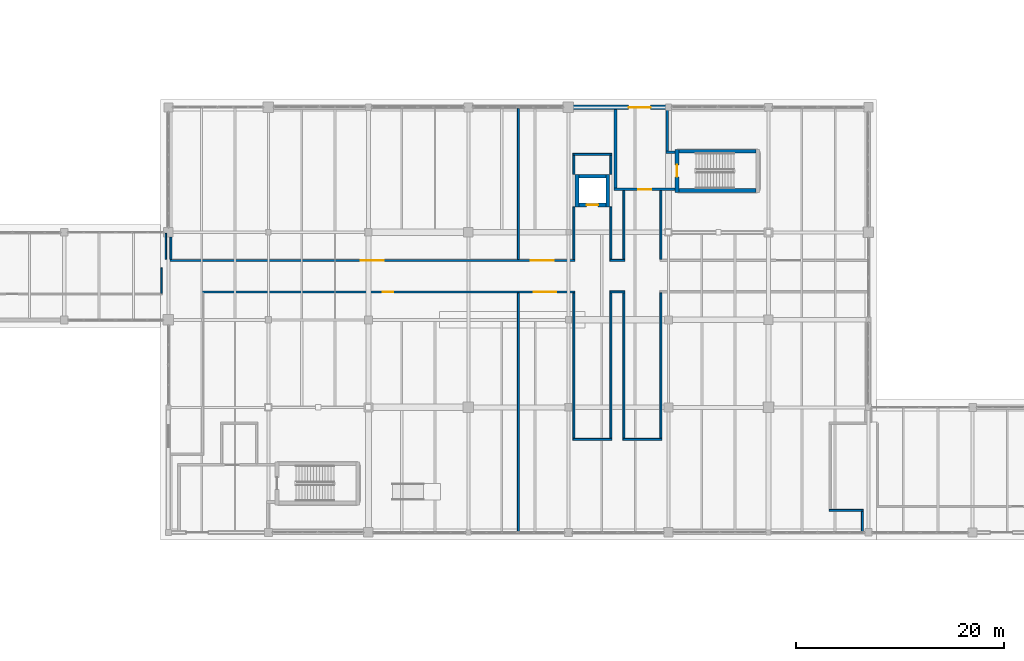
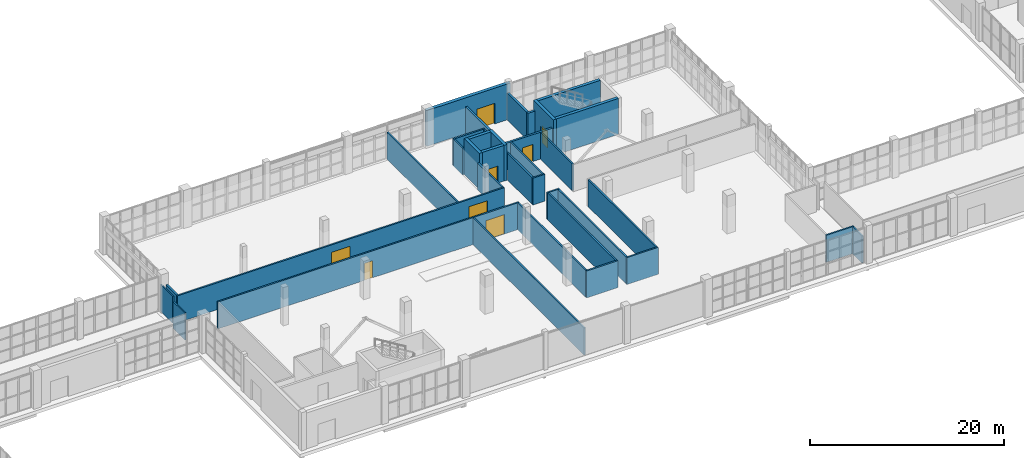
# One storey, part 100 of 121: 36 walls, 8 doors, 8 openings.
"""IFC4 building model written with IfcOpenShell, lengths in metres."""

import ifcopenshell
import ifcopenshell.guid

model = None  # the IFC model being written
_history = None  # IfcOwnerHistory: only IFC2X3 demands one
_inside = {}  # id of a spatial element -> (the spatial element, [elements in it])
_under = {}  # id of a project, library or spatial element -> (it, [spatial elements below it])
_declared = {}  # id of a project -> (the project, [libraries it declares])
_typed = {}  # id of a type object -> (the type object, [elements of that type])
_made_of = {}  # id of a material, layer set ... -> (it, [elements and type objects made of it])


def new_model(schema):
    """Start an empty IFC model of exactly this schema.

    Asked for "IFC4X3", IfcOpenShell would pick the latest addendum, in which some entities
    have other attributes; the version numbers below select the first issue.
    IFC2X3 requires an IfcOwnerHistory on every rooted entity: one is made here for all.
    """
    global model, _history
    if schema == "IFC4X3":
        model = ifcopenshell.file(schema_version=(4, 3, 0, 0))
    else:
        model = ifcopenshell.file(schema=schema)
    _inside.clear()
    _under.clear()
    _declared.clear()
    _typed.clear()
    _made_of.clear()
    _history = None
    if model.schema == "IFC2X3":
        org = make("IfcOrganization", Name="unknown")
        user = make(
            "IfcPersonAndOrganization",
            ThePerson=make("IfcPerson", FamilyName="unknown"),
            TheOrganization=org,
        )
        app = make(
            "IfcApplication",
            ApplicationDeveloper=org,
            Version="unknown",
            ApplicationFullName="unknown",
            ApplicationIdentifier="unknown",
        )
        _history = make(
            "IfcOwnerHistory",
            OwningUser=user,
            OwningApplication=app,
            ChangeAction="ADDED",
            CreationDate=0,
        )
    return model


def make(cls, **values):
    """One entity of the class cls with the attributes given. An attribute that is None is left unset."""
    return model.create_entity(
        cls, **{name: value for name, value in values.items() if value is not None}
    )


def rooted(cls, **values):
    """An entity with a GlobalId (a new one), such as an element, a storey or a relation."""
    return make(cls, GlobalId=ifcopenshell.guid.new(), OwnerHistory=_history, **values)


def si_unit(unit_type, name, prefix=None):
    """IfcSIUnit, for example si_unit("LENGTHUNIT", "METRE", prefix="MILLI")."""
    return make("IfcSIUnit", UnitType=unit_type, Prefix=prefix, Name=name)


def assignment(units):
    """IfcUnitAssignment: the units of a project."""
    return None if units is None else make("IfcUnitAssignment", Units=units)


def point(xyz):
    """IfcCartesianPoint."""
    return None if xyz is None else make("IfcCartesianPoint", Coordinates=xyz)


def direction(xyz):
    """IfcDirection."""
    return None if xyz is None else make("IfcDirection", DirectionRatios=xyz)


def frame(location, z_axis=None, x_axis=None):
    """IfcAxis2Placement3D, a coordinate frame: its origin and axes. An axis left out is left unset."""
    return make(
        "IfcAxis2Placement3D",
        Location=point(location),
        Axis=direction(z_axis),
        RefDirection=direction(x_axis),
    )


def frame_2d(location, x_axis=None):
    """IfcAxis2Placement2D, a coordinate frame in the plane: its origin and x axis."""
    return make(
        "IfcAxis2Placement2D", Location=point(location), RefDirection=direction(x_axis)
    )


def origin():
    """The frame at (0, 0, 0) with its axes left unset."""
    return frame((0.0, 0.0, 0.0))


def place(relative_to, where):
    """IfcLocalPlacement: puts the frame where relative to a parent placement (None: the world)."""
    return make(
        "IfcLocalPlacement", PlacementRelTo=relative_to, RelativePlacement=where
    )


def context(
    kind, dimensions, precision=None, world=None, true_north=None, identifier=None
):
    """IfcGeometricRepresentationContext, for example the 3D "Model" context."""
    return make(
        "IfcGeometricRepresentationContext",
        ContextIdentifier=identifier,
        ContextType=kind,
        CoordinateSpaceDimension=dimensions,
        Precision=precision,
        WorldCoordinateSystem=world,
        TrueNorth=true_north,
    )


def subcontext(parent, identifier, kind, view, scale=None):
    """IfcGeometricRepresentationSubContext, for example "Body" below "Model"."""
    return make(
        "IfcGeometricRepresentationSubContext",
        ContextIdentifier=identifier,
        ContextType=kind,
        ParentContext=parent,
        TargetScale=scale,
        TargetView=view,
    )


def project(units=None, contexts=None):
    """IfcProject with its units and contexts."""
    return rooted(
        "IfcProject",
        Name="project",
        RepresentationContexts=contexts,
        UnitsInContext=assignment(units),
    )


def spatial(cls, under=None, at=None, **own):
    """A site, building, storey or space (cls), placed at a placement, below another one or the project."""
    s = rooted(cls, ObjectPlacement=at, **own)
    if under is not None:
        _under.setdefault(under.id(), (under, []))[1].append(s)
    return s


def profile(cls, at=None, kind="AREA", **sizes):
    """A parametric profile (cls). Its sizes go by their IFC names, for example OverallWidth=200.0."""
    return make(cls, ProfileType=kind, Position=at, **sizes)


def rectangle(**sizes):
    """IfcRectangleProfileDef."""
    return profile("IfcRectangleProfileDef", **sizes)


def extrude(swept, where, along, depth):
    """IfcExtrudedAreaSolid: the profile swept, set in the frame where, extruded along a direction by depth."""
    return make(
        "IfcExtrudedAreaSolid",
        SweptArea=swept,
        Position=where,
        ExtrudedDirection=direction(along),
        Depth=depth,
    )


def shape(context_of_items, identifier, shape_type, items):
    """IfcShapeRepresentation: the items that make up one representation, for example the "Body"."""
    return make(
        "IfcShapeRepresentation",
        ContextOfItems=context_of_items,
        RepresentationIdentifier=identifier,
        RepresentationType=shape_type,
        Items=items,
    )


def material(Name=None, Category=None):
    """IfcMaterial."""
    return make("IfcMaterial", Name=Name, Category=Category)


def layer(
    of_material, thickness, ventilated=None, Name=None, Category=None, Priority=None
):
    """IfcMaterialLayer: one layer of a wall or slab, of a material (None: an air gap)."""
    return make(
        "IfcMaterialLayer",
        Material=of_material,
        LayerThickness=thickness,
        IsVentilated=ventilated,
        Name=Name,
        Category=Category,
        Priority=Priority,
    )


def layer_set(layers, Name=None):
    """IfcMaterialLayerSet."""
    return make("IfcMaterialLayerSet", MaterialLayers=layers, LayerSetName=Name)


def made_of(thing, what):
    """Note that an element or type object is made of a material, layer set ...; save() writes the relation."""
    if what is not None:
        _made_of.setdefault(what.id(), (what, []))[1].append(thing)
    return thing


def type_object(cls, material=None, **own):
    """A type object (cls), such as IfcWallType, which elements share."""
    return made_of(rooted(cls, **own), material)


def element(
    cls,
    number,
    at=None,
    inside=None,
    cuts=None,
    type_object=None,
    material=None,
    context=None,
    identifier="Body",
    shape_type=None,
    held_by="IfcProductDefinitionShape",
    body=None,
    shapes=None,
    **own,
):
    """One element of the class cls, such as IfcWall. Its Tag is "e" and its number.

    at: its placement. inside: the storey or other place that contains it. cuts: it is an
    opening in that element (IfcRelVoidsElement). A single representation is given by context,
    identifier, shape_type and body (its items); several are given by shapes. held_by: the class
    of the entity that holds the representations. save() writes the other relations.
    """
    e = rooted(cls, Tag="e%d" % number, ObjectPlacement=at, **own)
    if body is not None:
        shapes = [shape(context, identifier, shape_type, body)]
    if shapes is not None:
        e.Representation = make(held_by, Representations=shapes)
    if inside is not None:
        _inside.setdefault(inside.id(), (inside, []))[1].append(e)
    if cuts is not None:
        rooted(
            "IfcRelVoidsElement", RelatingBuildingElement=cuts, RelatedOpeningElement=e
        )
    if type_object is not None:
        _typed.setdefault(type_object.id(), (type_object, []))[1].append(e)
    return made_of(e, material)


def fill(opening, filler):
    """IfcRelFillsElement: the door or window that sits in an opening."""
    return rooted(
        "IfcRelFillsElement",
        RelatingOpeningElement=opening,
        RelatedBuildingElement=filler,
    )


def aggregate(whole, parts):
    """IfcRelAggregates: a whole, such as a stair, and the parts it consists of."""
    return rooted("IfcRelAggregates", RelatingObject=whole, RelatedObjects=parts)


def save(model, path):
    """Write the relations noted so far, then the file.

    IfcRelAggregates (storeys below a building ...), IfcRelContainedInSpatialStructure (elements
    in a storey), IfcRelDefinesByType, IfcRelAssociatesMaterial and IfcRelDeclares: one each for
    every whole, place, type object, material and project.
    """
    for whole, parts in _under.values():
        aggregate(whole, parts)
    for where, things in _inside.values():
        rooted(
            "IfcRelContainedInSpatialStructure",
            RelatedElements=things,
            RelatingStructure=where,
        )
    for kind, things in _typed.values():
        rooted("IfcRelDefinesByType", RelatedObjects=things, RelatingType=kind)
    for what, things in _made_of.values():
        rooted("IfcRelAssociatesMaterial", RelatedObjects=things, RelatingMaterial=what)
    for by, libraries in _declared.values():
        rooted("IfcRelDeclares", RelatingContext=by, RelatedDefinitions=libraries)
    model.write(path)


model = new_model("IFC4")

# Units and contexts
model_context = context("Model", 3, precision=1e-05, world=origin(), true_north=direction((0.0, 1.0)))
body_context = subcontext(model_context, "Body", "Model", "MODEL_VIEW")
ifc_project = project(units=[si_unit("LENGTHUNIT", "METRE"), si_unit("AREAUNIT", "SQUARE_METRE"), si_unit("VOLUMEUNIT", "CUBIC_METRE"), si_unit("PLANEANGLEUNIT", "RADIAN"), si_unit("MASSUNIT", "GRAM", prefix="KILO")], contexts=[model_context])

# Site, building, storey
site_placement = place(None, origin())
site = spatial("IfcSite", under=ifc_project, at=site_placement, CompositionType="ELEMENT")
building_placement = place(site_placement, origin())
building = spatial("IfcBuilding", under=site, at=building_placement, Name="Zereglee Splitstone Museum", CompositionType="ELEMENT")
storey_placement = place(building_placement, origin())
storey = spatial("IfcBuildingStorey", under=building, at=storey_placement, Name="L00", CompositionType="ELEMENT", Elevation=0.0)

# Wall, opening, door
ifc_material_1 = material(Name="Concrete C45/55", Category="concrete")
ifc_layer_1 = layer(ifc_material_1, 0.360107421875)
ifc_layer_set_1 = layer_set([ifc_layer_1], Name="Concrete C45/55")
wall_type_1 = type_object("IfcWallType", Name="CSW-02", PredefinedType="SHEAR", material=ifc_layer_set_1)
wall_1_placement = place(storey_placement, frame((126.820068359375, 42.239990234375, 0.0), z_axis=(0.0, 0.0, 1.0), x_axis=(0.0, 1.0, 0.0)))
wall_1 = element("IfcWall", 1, at=wall_1_placement, inside=storey, type_object=wall_type_1, Name="Stair Core Shear Wall ST-03 L00 West", PredefinedType="SHEAR", context=body_context, shape_type="SweptSolid", body=[
    extrude(rectangle(XDim=4.1201171875, YDim=0.360107421875, at=frame_2d((2.06005859375, 0.0))), origin(), (0.0, 0.0, 1.0), 4.5),
])
opening_1_placement = place(wall_1_placement, frame((1.485107421875, 0.0, 0.0)))
opening_1 = element("IfcOpeningElement", 2, at=opening_1_placement, cuts=wall_1, Name="Opening ID-03", PredefinedType="OPENING", context=body_context, shape_type="SweptSolid", body=[
    extrude(rectangle(XDim=1.14990234375, YDim=2.14990234375, at=frame_2d((0.574951171875, 1.074951171875))), frame((0.0, 0.19482421875, 0.0), z_axis=(0.0, -1.0, 0.0), x_axis=(1.0, 0.0, 0.0)), (0.0, 0.0, 1.0), 0.389892578125),
])
ifc_material_2 = material(Name="Fire-rated steel and Siberian larch leaf", Category="steel")
door_type_1 = type_object("IfcDoorType", Name="ID-03", OperationType="NOTDEFINED", PredefinedType="DOOR", material=ifc_material_2)
door_1_placement = place(opening_1_placement, origin())
door_1 = element("IfcDoor", 3, at=door_1_placement, inside=storey, type_object=door_type_1, Name="Protected Stair Fire Door ST-03 L00", OperationType="SINGLE_SWING_RIGHT", OverallHeight=2.14990234375, OverallWidth=1.14990234375, PredefinedType="DOOR", context=body_context, shape_type="SweptSolid", body=[
    extrude(rectangle(XDim=1.14990234375, YDim=2.14990234375, at=frame_2d((0.574951171875, 1.074951171875))), frame((0.0, 0.02490234375, 0.0), z_axis=(0.0, -1.0, 0.0), x_axis=(1.0, 0.0, 0.0)), (0.0, 0.0, 1.0), 0.050048828125),
])
fill(opening_1, door_1)

# Walls
for number, where, z_axis, x_axis, name in (
    (4, (127.0, 46.179931640625, 0.0), (0.0, 0.0, 1.0), (1.0, 0.0, 0.0), "Stair Core Shear Wall ST-03 L00 North"),
    (5, (127.0, 42.419921875, 0.0), (0.0, 0.0, 1.0), (1.0, 0.0, 0.0), "Stair Core Shear Wall ST-03 L00 South"),
):
    element("IfcWall", number, at=place(storey_placement, frame(where, z_axis=z_axis, x_axis=x_axis)), inside=storey, type_object=wall_type_1, Name=name, PredefinedType="SHEAR", context=body_context, shape_type="SweptSolid", body=[
        extrude(rectangle(XDim=7.39990234375, YDim=0.360107421875, at=frame_2d((3.699951171875, 0.0))), origin(), (0.0, 0.0, 1.0), 4.5),
    ])
wall_2_placement = place(storey_placement, frame((117.39990234375, 43.780029296875, 0.0), z_axis=(0.0, 0.0, 1.0), x_axis=(1.0, 0.0, 0.0)))
element("IfcWall", 6, at=wall_2_placement, inside=storey, type_object=wall_type_1, Name="Lift Shaft Wall PL-02 L00 North", PredefinedType="SHEAR", context=body_context, shape_type="SweptSolid", body=[
    extrude(rectangle(XDim=2.60009765625, YDim=0.360107421875, at=frame_2d((1.300048828125, 0.0))), origin(), (0.0, 0.0, 1.0), 4.5),
])

# Wall, opening, door
wall_3_placement = place(storey_placement, frame((117.39990234375, 41.02001953125, 0.0), z_axis=(0.0, 0.0, 1.0), x_axis=(1.0, 0.0, 0.0)))
wall_3 = element("IfcWall", 7, at=wall_3_placement, inside=storey, type_object=wall_type_1, Name="Lift Shaft Wall PL-02 L00 South", PredefinedType="SHEAR", context=body_context, shape_type="SweptSolid", body=[
    extrude(rectangle(XDim=2.60009765625, YDim=0.360107421875, at=frame_2d((1.300048828125, 0.0))), origin(), (0.0, 0.0, 1.0), 4.5),
])
opening_2_placement = place(wall_3_placement, frame((0.75, 0.0, 0.0)))
opening_2 = element("IfcOpeningElement", 8, at=opening_2_placement, cuts=wall_3, Name="Opening LD-01", PredefinedType="OPENING", context=body_context, shape_type="SweptSolid", body=[
    extrude(rectangle(XDim=1.10009765625, YDim=2.14990234375, at=frame_2d((0.550048828125, 1.074951171875))), frame((0.0, 0.19482421875, 0.0), z_axis=(0.0, -1.0, 0.0), x_axis=(1.0, 0.0, 0.0)), (0.0, 0.0, 1.0), 0.389892578125),
])
door_type_2 = type_object("IfcDoorType", Name="LD-01", OperationType="DOUBLE_DOOR_SLIDING", PredefinedType="DOOR", material=ifc_material_2)
door_2_placement = place(opening_2_placement, origin())
door_2 = element("IfcDoor", 9, at=door_2_placement, inside=storey, type_object=door_type_2, Name="Lift Landing Sliding Door PL-02 L00", OperationType="DOUBLE_DOOR_SLIDING", OverallHeight=2.14990234375, OverallWidth=1.10009765625, PredefinedType="DOOR", context=body_context, shape_type="SweptSolid", body=[
    extrude(rectangle(XDim=1.10009765625, YDim=2.14990234375, at=frame_2d((0.550048828125, 1.074951171875))), frame((0.0, 0.02490234375, 0.0), z_axis=(0.0, -1.0, 0.0), x_axis=(1.0, 0.0, 0.0)), (0.0, 0.0, 1.0), 0.050048828125),
])
fill(opening_2, door_2)

# Walls
for number, where, z_axis, x_axis, name in (
    (10, (117.219970703125, 40.840087890625, 0.0), (0.0, 0.0, 1.0), (0.0, 1.0, 0.0), "Lift Shaft Wall PL-02 L00 West"),
    (11, (120.179931640625, 40.840087890625, 0.0), (0.0, 0.0, 1.0), (0.0, 1.0, 0.0), "Lift Shaft Wall PL-02 L00 East"),
):
    element("IfcWall", number, at=place(storey_placement, frame(where, z_axis=z_axis, x_axis=x_axis)), inside=storey, type_object=wall_type_1, Name=name, PredefinedType="SHEAR", context=body_context, shape_type="SweptSolid", body=[
        extrude(rectangle(XDim=3.119873046875, YDim=0.360107421875, at=frame_2d((1.56005859375, 0.0))), origin(), (0.0, 0.0, 1.0), 4.5),
    ])

# Wall, opening, door
ifc_material_3 = material(Name="Concrete C40/50", Category="concrete")
ifc_layer_2 = layer(ifc_material_3, 0.39990234375)
ifc_layer_set_2 = layer_set([ifc_layer_2], Name="Concrete C40/50")
wall_type_2 = type_object("IfcWallType", Name="EW-02", PredefinedType="STANDARD", material=ifc_layer_set_2)
wall_4_placement = place(storey_placement, frame((126.179931640625, 50.39990234375, 0.0), z_axis=(0.0, 0.0, 1.0), x_axis=(-1.0, 0.0, 0.0)))
wall_4 = element("IfcWall", 12, at=wall_4_placement, inside=storey, type_object=wall_type_2, Name="Exterior Backup Wall RC4-EW-L00-0008", PredefinedType="STANDARD", context=body_context, shape_type="SweptSolid", body=[
    extrude(rectangle(XDim=9.9599609375, YDim=0.39990234375, at=frame_2d((4.97998046875, 0.0))), origin(), (0.0, 0.0, 1.0), 4.5),
])
opening_3_placement = place(wall_4_placement, frame((1.89990234375, 0.0, 0.0)))
opening_3 = element("IfcOpeningElement", 13, at=opening_3_placement, cuts=wall_4, Name="Opening ED-02", PredefinedType="OPENING", context=body_context, shape_type="SweptSolid", body=[
    extrude(rectangle(XDim=2.10009765625, YDim=2.60009765625, at=frame_2d((1.050048828125, 1.300048828125))), frame((0.0, 0.21484375, 0.0), z_axis=(0.0, -1.0, 0.0), x_axis=(1.0, 0.0, 0.0)), (0.0, 0.0, 1.0), 0.4296875),
])
ifc_material_4 = material(Name="Anodised bronze-clad thermally broken aluminium", Category="aluminium")
door_type_3 = type_object("IfcDoorType", Name="ED-02", OperationType="DOUBLE_DOOR_SINGLE_SWING", PredefinedType="DOOR", material=ifc_material_4)
door_3_placement = place(opening_3_placement, frame((2.10009765625, 0.0, 0.0), z_axis=(0.0, 0.0, 1.0), x_axis=(-1.0, 0.0, 0.0)))
door_3 = element("IfcDoor", 14, at=door_3_placement, inside=storey, type_object=door_type_3, Name="Ground Protected Exit Door ED-L00-07", OperationType="DOUBLE_DOOR_SINGLE_SWING", OverallHeight=2.60009765625, OverallWidth=2.10009765625, PredefinedType="DOOR", context=body_context, shape_type="SweptSolid", body=[
    extrude(rectangle(XDim=2.10009765625, YDim=2.60009765625, at=frame_2d((1.050048828125, 1.300048828125))), frame((0.0, 0.02490234375, 0.0), z_axis=(0.0, -1.0, 0.0), x_axis=(1.0, 0.0, 0.0)), (0.0, 0.0, 1.0), 0.050048828125),
])
fill(opening_3, door_3)

ifc_layer_3 = layer(ifc_material_3, 0.25)
ifc_layer_set_3 = layer_set([ifc_layer_3], Name="Concrete C40/50")
wall_type_3 = type_object("IfcWallType", Name="IW-03", PredefinedType="PARTITIONING", material=ifc_layer_set_3)
wall_5_placement = place(storey_placement, frame((120.794921875, 42.52001953125, 0.0), z_axis=(0.0, 0.0, 1.0), x_axis=(1.0, 0.0, 0.0)))
wall_5 = element("IfcWall", 15, at=wall_5_placement, inside=storey, type_object=wall_type_3, Name="Interior Partition L00-0221 (Protected Exit Passageway ST-03)", PredefinedType="PARTITIONING", context=body_context, shape_type="SweptSolid", body=[
    extrude(rectangle(XDim=5.844970703125, YDim=0.25, at=frame_2d((2.92236328125, 0.0))), origin(), (0.0, 0.0, 1.0), 3.3798828125),
])
opening_4_placement = place(wall_5_placement, frame((2.297607421875, 0.0, 0.0)))
opening_4 = element("IfcOpeningElement", 16, at=opening_4_placement, cuts=wall_5, Name="Opening ID-04", PredefinedType="OPENING", context=body_context, shape_type="SweptSolid", body=[
    extrude(rectangle(XDim=1.25, YDim=2.14990234375, at=frame_2d((0.625, 1.074951171875))), frame((0.0, 0.139892578125, 0.0), z_axis=(0.0, -1.0, 0.0), x_axis=(1.0, 0.0, 0.0)), (0.0, 0.0, 1.0), 0.27978515625),
])
door_type_4 = type_object("IfcDoorType", Name="ID-04", OperationType="NOTDEFINED", PredefinedType="DOOR", material=ifc_material_2)
door_4_placement = place(opening_4_placement, origin())
door_4 = element("IfcDoor", 17, at=door_4_placement, inside=storey, type_object=door_type_4, Name="Interior Door L00-0025 (Protected Exit Passageway ST-03)", OperationType="SINGLE_SWING_RIGHT", OverallHeight=2.14990234375, OverallWidth=1.25, PredefinedType="DOOR", context=body_context, shape_type="SweptSolid", body=[
    extrude(rectangle(XDim=1.25, YDim=2.14990234375, at=frame_2d((0.625, 1.074951171875))), frame((0.0, 0.02490234375, 0.0), z_axis=(0.0, -1.0, 0.0), x_axis=(1.0, 0.0, 0.0)), (0.0, 0.0, 1.0), 0.050048828125),
])
fill(opening_4, door_4)

# Walls
wall_6_placement = place(storey_placement, frame((125.7548828125, 46.080078125, 0.0), z_axis=(0.0, 0.0, 1.0), x_axis=(1.0, 0.0, 0.0)))
element("IfcWall", 18, at=wall_6_placement, inside=storey, type_object=wall_type_3, Name="Interior Partition L00-0226 (Protected Exit Passageway ST-03)", PredefinedType="PARTITIONING", context=body_context, shape_type="SweptSolid", body=[
    extrude(rectangle(XDim=0.885009765625, YDim=0.25, at=frame_2d((0.4423828125, 0.0))), origin(), (0.0, 0.0, 1.0), 3.3798828125),
])
wall_7_placement = place(storey_placement, frame((120.919921875, 42.64501953125, 0.0), z_axis=(0.0, 0.0, 1.0), x_axis=(0.0, 1.0, 0.0)))
element("IfcWall", 19, at=wall_7_placement, inside=storey, type_object=wall_type_3, Name="Interior Partition L00-0272 (Protected Exit Passageway ST-03)", PredefinedType="PARTITIONING", context=body_context, shape_type="SweptSolid", body=[
    extrude(rectangle(XDim=7.554931640625, YDim=0.25, at=frame_2d((3.77734375, 0.0))), origin(), (0.0, 0.0, 1.0), 3.3798828125),
])
wall_8_placement = place(storey_placement, frame((125.8798828125, 46.0, 0.0), z_axis=(0.0, 0.0, 1.0), x_axis=(0.0, 1.0, 0.0)))
element("IfcWall", 20, at=wall_8_placement, inside=storey, type_object=wall_type_3, Name="Interior Partition L00-0277 (Protected Exit Passageway ST-03)", PredefinedType="PARTITIONING", context=body_context, shape_type="SweptSolid", body=[
    extrude(rectangle(XDim=4.199951171875, YDim=0.25, at=frame_2d((2.10009765625, 0.0))), origin(), (0.0, 0.0, 1.0), 3.3798828125),
])
ifc_material_5 = material(Name="Fire-rated gypsum board partition", Category="masonry")
ifc_layer_4 = layer(ifc_material_5, 0.139892578125)
ifc_layer_set_4 = layer_set([ifc_layer_4], Name="Fire-rated gypsum board partition")
wall_type_4 = type_object("IfcWallType", Name="IW-05", PredefinedType="PARTITIONING", material=ifc_layer_set_4)
wall_9_placement = place(storey_placement, frame((77.320068359375, 32.550048828125, 0.0), z_axis=(0.0, 0.0, 1.0), x_axis=(0.0, 1.0, 0.0)))
element("IfcWall", 21, at=wall_9_placement, inside=storey, type_object=wall_type_4, Name="Interior Partition L00-0256 (Museum Shop)", PredefinedType="PARTITIONING", context=body_context, shape_type="SweptSolid", body=[
    extrude(rectangle(XDim=2.449951171875, YDim=0.139892578125, at=frame_2d((1.22509765625, 0.0))), origin(), (0.0, 0.0, 1.0), 3.3798828125),
])
wall_10_placement = place(storey_placement, frame((77.760009765625, 35.81005859375, 0.0), z_axis=(0.0, 0.0, 1.0), x_axis=(0.0, 1.0, 0.0)))
element("IfcWall", 22, at=wall_10_placement, inside=storey, type_object=wall_type_4, Name="Interior Partition L00-0257 (Museum Shop)", PredefinedType="PARTITIONING", context=body_context, shape_type="SweptSolid", body=[
    extrude(rectangle(XDim=2.5, YDim=0.139892578125, at=frame_2d((1.25, 0.0))), origin(), (0.0, 0.0, 1.0), 3.3798828125),
])
ifc_material_6 = material(Name="Gypsum board on acoustic steel stud", Category="steel")
ifc_layer_5 = layer(ifc_material_6, 0.18994140625)
ifc_layer_set_5 = layer_set([ifc_layer_5], Name="Gypsum board on acoustic steel stud")
wall_type_5 = type_object("IfcWallType", Name="IW-02", PredefinedType="PARTITIONING", material=ifc_layer_set_5)
wall_11_placement = place(storey_placement, frame((141.425048828125, 11.719970703125, 0.0), z_axis=(0.0, 0.0, 1.0), x_axis=(1.0, 0.0, 0.0)))
element("IfcWall", 23, at=wall_11_placement, inside=storey, type_object=wall_type_5, Name="Interior Partition L00-0163 (Cretaceous Dinosaur Exhibition Gallery)", PredefinedType="PARTITIONING", context=body_context, shape_type="SweptSolid", body=[
    extrude(rectangle(XDim=3.2900390625, YDim=0.18994140625, at=frame_2d((1.64501953125, 0.0))), origin(), (0.0, 0.0, 1.0), 3.3798828125),
])
for number, where, z_axis, x_axis, name in (
    (24, (116.824951171875, 18.52001953125, 0.0), (0.0, 0.0, 1.0), (1.0, 0.0, 0.0), "Interior Partition L00-0181 (Cretaceous Dinosaur Exhibition Gallery)"),
    (25, (121.625, 18.52001953125, 0.0), (0.0, 0.0, 1.0), (1.0, 0.0, 0.0), "Interior Partition L00-0182 (Cretaceous Dinosaur Exhibition Gallery)"),
):
    element("IfcWall", number, at=place(storey_placement, frame(where, z_axis=z_axis, x_axis=x_axis)), inside=storey, type_object=wall_type_5, Name=name, PredefinedType="PARTITIONING", context=body_context, shape_type="SweptSolid", body=[
        extrude(rectangle(XDim=3.75, YDim=0.18994140625, at=frame_2d((1.875, 0.0))), origin(), (0.0, 0.0, 1.0), 3.3798828125),
    ])

# Wall, openings, doors
wall_12_placement = place(storey_placement, frame((81.18505859375, 32.679931640625, 0.0), z_axis=(0.0, 0.0, 1.0), x_axis=(1.0, 0.0, 0.0)))
wall_12 = element("IfcWall", 26, at=wall_12_placement, inside=storey, type_object=wall_type_5, Name="Interior Partition L00-0208 (Winter Atrium Concourse)", PredefinedType="PARTITIONING", context=body_context, shape_type="SweptSolid", body=[
    extrude(rectangle(XDim=35.829833984375, YDim=0.18994140625, at=frame_2d((17.9150390625, 0.0))), origin(), (0.0, 0.0, 1.0), 3.3798828125),
])
opening_5_placement = place(wall_12_placement, frame((17.4150390625, 0.0, 0.0)))
opening_5 = element("IfcOpeningElement", 27, at=opening_5_placement, cuts=wall_12, Name="Opening ID-10", PredefinedType="OPENING", context=body_context, shape_type="SweptSolid", body=[
    extrude(rectangle(XDim=1.0, YDim=2.14990234375, at=frame_2d((0.5, 1.074951171875))), frame((0.0, 0.10986328125, 0.0), z_axis=(0.0, -1.0, 0.0), x_axis=(1.0, 0.0, 0.0)), (0.0, 0.0, 1.0), 0.2197265625),
])
opening_6_placement = place(wall_12_placement, frame((31.863525390625, 0.0, 0.0)))
opening_6 = element("IfcOpeningElement", 28, at=opening_6_placement, cuts=wall_12, Name="Opening ID-01", PredefinedType="OPENING", context=body_context, shape_type="SweptSolid", body=[
    extrude(rectangle(XDim=2.199951171875, YDim=2.449951171875, at=frame_2d((1.10009765625, 1.22509765625))), frame((0.0, 0.10986328125, 0.0), z_axis=(0.0, -1.0, 0.0), x_axis=(1.0, 0.0, 0.0)), (0.0, 0.0, 1.0), 0.2197265625),
])
door_type_5 = type_object("IfcDoorType", Name="ID-01", OperationType="NOTDEFINED", PredefinedType="DOOR", material=ifc_material_2)
door_5_placement = place(opening_6_placement, frame((2.199951171875, 0.0, 0.0), z_axis=(0.0, 0.0, 1.0), x_axis=(-1.0, 0.0, 0.0)))
door_5 = element("IfcDoor", 29, at=door_5_placement, inside=storey, type_object=door_type_5, Name="Interior Door L00-0038 (Cretaceous Dinosaur Exhibition Gallery)", OperationType="DOUBLE_DOOR_SINGLE_SWING", OverallHeight=2.449951171875, OverallWidth=2.199951171875, PredefinedType="DOOR", context=body_context, shape_type="SweptSolid", body=[
    extrude(rectangle(XDim=2.199951171875, YDim=2.449951171875, at=frame_2d((1.10009765625, 1.22509765625))), frame((0.0, 0.02490234375, 0.0), z_axis=(0.0, -1.0, 0.0), x_axis=(1.0, 0.0, 0.0)), (0.0, 0.0, 1.0), 0.050048828125),
])
fill(opening_6, door_5)
ifc_material_7 = material(Name="Siberian larch acoustic timber leaf in bronze-steel frame", Category="steel")
door_type_6 = type_object("IfcDoorType", Name="ID-10", OperationType="NOTDEFINED", PredefinedType="DOOR", material=ifc_material_7)
door_6_placement = place(opening_5_placement, frame((1.0, 0.0, 0.0), z_axis=(0.0, 0.0, 1.0), x_axis=(-1.0, 0.0, 0.0)))
door_6 = element("IfcDoor", 30, at=door_6_placement, inside=storey, type_object=door_type_6, Name="Interior Door L00-0037 (Winter Atrium Concourse)", OperationType="SINGLE_SWING_RIGHT", OverallHeight=2.14990234375, OverallWidth=1.0, PredefinedType="DOOR", context=body_context, shape_type="SweptSolid", body=[
    extrude(rectangle(XDim=1.0, YDim=2.14990234375, at=frame_2d((0.5, 1.074951171875))), frame((0.0, 0.02490234375, 0.0), z_axis=(0.0, -1.0, 0.0), x_axis=(1.0, 0.0, 0.0)), (0.0, 0.0, 1.0), 0.050048828125),
])
fill(opening_5, door_6)

# Wall
wall_13_placement = place(storey_placement, frame((120.385009765625, 32.679931640625, 0.0), z_axis=(0.0, 0.0, 1.0), x_axis=(1.0, 0.0, 0.0)))
element("IfcWall", 31, at=wall_13_placement, inside=storey, type_object=wall_type_5, Name="Interior Partition L00-0209 (Cretaceous Dinosaur Exhibition Gallery)", PredefinedType="PARTITIONING", context=body_context, shape_type="SweptSolid", body=[
    extrude(rectangle(XDim=1.429931640625, YDim=0.18994140625, at=frame_2d((0.71484375, 0.0))), origin(), (0.0, 0.0, 1.0), 3.3798828125),
])

# Wall, openings, doors
wall_14_placement = place(storey_placement, frame((78.14501953125, 35.719970703125, 0.0), z_axis=(0.0, 0.0, 1.0), x_axis=(1.0, 0.0, 0.0)))
wall_14 = element("IfcWall", 32, at=wall_14_placement, inside=storey, type_object=wall_type_5, Name="Interior Partition L00-0212 (Gobi Mineralogy Gallery)", PredefinedType="PARTITIONING", context=body_context, shape_type="SweptSolid", body=[
    extrude(rectangle(XDim=38.869873046875, YDim=0.18994140625, at=frame_2d((19.43505859375, 0.0))), origin(), (0.0, 0.0, 1.0), 3.3798828125),
])
opening_7_placement = place(wall_14_placement, frame((18.3349609375, 0.0, 0.0)))
opening_7 = element("IfcOpeningElement", 33, at=opening_7_placement, cuts=wall_14, Name="Opening ID-01", PredefinedType="OPENING", context=body_context, shape_type="SweptSolid", body=[
    extrude(rectangle(XDim=2.199951171875, YDim=2.449951171875, at=frame_2d((1.10009765625, 1.22509765625))), frame((0.0, 0.10986328125, 0.0), z_axis=(0.0, -1.0, 0.0), x_axis=(1.0, 0.0, 0.0)), (0.0, 0.0, 1.0), 0.2197265625),
])
opening_8_placement = place(wall_14_placement, frame((34.660400390625, 0.0, 0.0)))
opening_8 = element("IfcOpeningElement", 34, at=opening_8_placement, cuts=wall_14, Name="Opening ID-01", PredefinedType="OPENING", context=body_context, shape_type="SweptSolid", body=[
    extrude(rectangle(XDim=2.199951171875, YDim=2.449951171875, at=frame_2d((1.10009765625, 1.22509765625))), frame((0.0, 0.10986328125, 0.0), z_axis=(0.0, -1.0, 0.0), x_axis=(1.0, 0.0, 0.0)), (0.0, 0.0, 1.0), 0.2197265625),
])
door_7_placement = place(opening_7_placement, origin())
door_7 = element("IfcDoor", 35, at=door_7_placement, inside=storey, type_object=door_type_5, Name="Interior Door L00-0039 (Gobi Mineralogy Gallery)", OperationType="DOUBLE_DOOR_SINGLE_SWING", OverallHeight=2.449951171875, OverallWidth=2.199951171875, PredefinedType="DOOR", context=body_context, shape_type="SweptSolid", body=[
    extrude(rectangle(XDim=2.199951171875, YDim=2.449951171875, at=frame_2d((1.10009765625, 1.22509765625))), frame((0.0, 0.02490234375, 0.0), z_axis=(0.0, -1.0, 0.0), x_axis=(1.0, 0.0, 0.0)), (0.0, 0.0, 1.0), 0.050048828125),
])
fill(opening_7, door_7)
door_8_placement = place(opening_8_placement, origin())
door_8 = element("IfcDoor", 36, at=door_8_placement, inside=storey, type_object=door_type_5, Name="Interior Door L00-0041 (Temporary Exhibition Gallery Suite)", OperationType="DOUBLE_DOOR_SINGLE_SWING", OverallHeight=2.449951171875, OverallWidth=2.199951171875, PredefinedType="DOOR", context=body_context, shape_type="SweptSolid", body=[
    extrude(rectangle(XDim=2.199951171875, YDim=2.449951171875, at=frame_2d((1.10009765625, 1.22509765625))), frame((0.0, 0.02490234375, 0.0), z_axis=(0.0, -1.0, 0.0), x_axis=(1.0, 0.0, 0.0)), (0.0, 0.0, 1.0), 0.050048828125),
])
fill(opening_8, door_8)

# Walls
wall_15_placement = place(storey_placement, frame((120.385009765625, 35.719970703125, 0.0), z_axis=(0.0, 0.0, 1.0), x_axis=(1.0, 0.0, 0.0)))
element("IfcWall", 37, at=wall_15_placement, inside=storey, type_object=wall_type_5, Name="Interior Partition L00-0213 (Temporary Exhibition Gallery Suite)", PredefinedType="PARTITIONING", context=body_context, shape_type="SweptSolid", body=[
    extrude(rectangle(XDim=1.429931640625, YDim=0.18994140625, at=frame_2d((0.71484375, 0.0))), origin(), (0.0, 0.0, 1.0), 3.3798828125),
])
wall_16_placement = place(storey_placement, frame((116.824951171875, 45.8798828125, 0.0), z_axis=(0.0, 0.0, 1.0), x_axis=(1.0, 0.0, 0.0)))
element("IfcWall", 38, at=wall_16_placement, inside=storey, type_object=wall_type_5, Name="Interior Partition L00-0224 (Temporary Exhibition Gallery Suite)", PredefinedType="PARTITIONING", context=body_context, shape_type="SweptSolid", body=[
    extrude(rectangle(XDim=3.75, YDim=0.18994140625, at=frame_2d((1.875, 0.0))), origin(), (0.0, 0.0, 1.0), 3.3798828125),
])
wall_17_placement = place(storey_placement, frame((78.239990234375, 35.81494140625, 0.0), z_axis=(0.0, 0.0, 1.0), x_axis=(0.0, 1.0, 0.0)))
element("IfcWall", 39, at=wall_17_placement, inside=storey, type_object=wall_type_5, Name="Interior Partition L00-0258 (Gobi Mineralogy Gallery)", PredefinedType="PARTITIONING", context=body_context, shape_type="SweptSolid", body=[
    extrude(rectangle(XDim=2.135009765625, YDim=0.18994140625, at=frame_2d((1.0673828125, 0.0))), origin(), (0.0, 0.0, 1.0), 3.3798828125),
])
wall_18_placement = place(storey_placement, frame((111.60009765625, 9.68994140625, 0.0), z_axis=(0.0, 0.0, 1.0), x_axis=(0.0, 1.0, 0.0)))
element("IfcWall", 40, at=wall_18_placement, inside=storey, type_object=wall_type_5, Name="Interior Partition L00-0264 (Winter Atrium Concourse)", PredefinedType="PARTITIONING", context=body_context, shape_type="SweptSolid", body=[
    extrude(rectangle(XDim=22.89501953125, YDim=0.18994140625, at=frame_2d((11.447509765625, 0.0))), origin(), (0.0, 0.0, 1.0), 3.3798828125),
])
wall_19_placement = place(storey_placement, frame((111.60009765625, 35.81494140625, 0.0), z_axis=(0.0, 0.0, 1.0), x_axis=(0.0, 1.0, 0.0)))
element("IfcWall", 41, at=wall_19_placement, inside=storey, type_object=wall_type_5, Name="Interior Partition L00-0265 (Gobi Mineralogy Gallery)", PredefinedType="PARTITIONING", context=body_context, shape_type="SweptSolid", body=[
    extrude(rectangle(XDim=14.4951171875, YDim=0.18994140625, at=frame_2d((7.24755859375, 0.0))), origin(), (0.0, 0.0, 1.0), 3.3798828125),
])
wall_20_placement = place(storey_placement, frame((116.919921875, 18.614990234375, 0.0), z_axis=(0.0, 0.0, 1.0), x_axis=(0.0, 1.0, 0.0)))
element("IfcWall", 42, at=wall_20_placement, inside=storey, type_object=wall_type_5, Name="Interior Partition L00-0266 (Cretaceous Dinosaur Exhibition Gallery)", PredefinedType="PARTITIONING", context=body_context, shape_type="SweptSolid", body=[
    extrude(rectangle(XDim=13.969970703125, YDim=0.18994140625, at=frame_2d((6.98486328125, 0.0))), origin(), (0.0, 0.0, 1.0), 3.3798828125),
])
wall_21_placement = place(storey_placement, frame((116.919921875, 35.81494140625, 0.0), z_axis=(0.0, 0.0, 1.0), x_axis=(0.0, 1.0, 0.0)))
element("IfcWall", 43, at=wall_21_placement, inside=storey, type_object=wall_type_5, Name="Interior Partition L00-0267 (Temporary Exhibition Gallery Suite)", PredefinedType="PARTITIONING", context=body_context, shape_type="SweptSolid", body=[
    extrude(rectangle(XDim=5.025146484375, YDim=0.18994140625, at=frame_2d((2.5126953125, 0.0))), origin(), (0.0, 0.0, 1.0), 3.3798828125),
])
wall_22_placement = place(storey_placement, frame((116.919921875, 43.9599609375, 0.0), z_axis=(0.0, 0.0, 1.0), x_axis=(0.0, 1.0, 0.0)))
element("IfcWall", 44, at=wall_22_placement, inside=storey, type_object=wall_type_5, Name="Interior Partition L00-0268 (Temporary Exhibition Gallery Suite)", PredefinedType="PARTITIONING", context=body_context, shape_type="SweptSolid", body=[
    extrude(rectangle(XDim=1.824951171875, YDim=0.18994140625, at=frame_2d((0.91259765625, 0.0))), origin(), (0.0, 0.0, 1.0), 3.3798828125),
])
wall_23_placement = place(storey_placement, frame((120.47998046875, 18.614990234375, 0.0), z_axis=(0.0, 0.0, 1.0), x_axis=(0.0, 1.0, 0.0)))
element("IfcWall", 45, at=wall_23_placement, inside=storey, type_object=wall_type_5, Name="Interior Partition L00-0269 (Cretaceous Dinosaur Exhibition Gallery)", PredefinedType="PARTITIONING", context=body_context, shape_type="SweptSolid", body=[
    extrude(rectangle(XDim=13.969970703125, YDim=0.18994140625, at=frame_2d((6.98486328125, 0.0))), origin(), (0.0, 0.0, 1.0), 3.3798828125),
])
wall_24_placement = place(storey_placement, frame((120.47998046875, 35.81494140625, 0.0), z_axis=(0.0, 0.0, 1.0), x_axis=(0.0, 1.0, 0.0)))
element("IfcWall", 46, at=wall_24_placement, inside=storey, type_object=wall_type_5, Name="Interior Partition L00-0270 (Temporary Exhibition Gallery Suite)", PredefinedType="PARTITIONING", context=body_context, shape_type="SweptSolid", body=[
    extrude(rectangle(XDim=5.025146484375, YDim=0.18994140625, at=frame_2d((2.5126953125, 0.0))), origin(), (0.0, 0.0, 1.0), 3.3798828125),
])
wall_25_placement = place(storey_placement, frame((120.47998046875, 43.9599609375, 0.0), z_axis=(0.0, 0.0, 1.0), x_axis=(0.0, 1.0, 0.0)))
element("IfcWall", 47, at=wall_25_placement, inside=storey, type_object=wall_type_5, Name="Interior Partition L00-0271 (Temporary Exhibition Gallery Suite)", PredefinedType="PARTITIONING", context=body_context, shape_type="SweptSolid", body=[
    extrude(rectangle(XDim=1.824951171875, YDim=0.18994140625, at=frame_2d((0.91259765625, 0.0))), origin(), (0.0, 0.0, 1.0), 3.3798828125),
])
wall_26_placement = place(storey_placement, frame((121.719970703125, 18.614990234375, 0.0), z_axis=(0.0, 0.0, 1.0), x_axis=(0.0, 1.0, 0.0)))
element("IfcWall", 48, at=wall_26_placement, inside=storey, type_object=wall_type_5, Name="Interior Partition L00-0273 (Cretaceous Dinosaur Exhibition Gallery)", PredefinedType="PARTITIONING", context=body_context, shape_type="SweptSolid", body=[
    extrude(rectangle(XDim=13.969970703125, YDim=0.18994140625, at=frame_2d((6.98486328125, 0.0))), origin(), (0.0, 0.0, 1.0), 3.3798828125),
])
wall_27_placement = place(storey_placement, frame((121.719970703125, 35.81494140625, 0.0), z_axis=(0.0, 0.0, 1.0), x_axis=(0.0, 1.0, 0.0)))
element("IfcWall", 49, at=wall_27_placement, inside=storey, type_object=wall_type_5, Name="Interior Partition L00-0274 (Temporary Exhibition Gallery Suite)", PredefinedType="PARTITIONING", context=body_context, shape_type="SweptSolid", body=[
    extrude(rectangle(XDim=6.580078125, YDim=0.18994140625, at=frame_2d((3.2900390625, 0.0))), origin(), (0.0, 0.0, 1.0), 3.3798828125),
])
wall_28_placement = place(storey_placement, frame((125.280029296875, 18.614990234375, 0.0), z_axis=(0.0, 0.0, 1.0), x_axis=(0.0, 1.0, 0.0)))
element("IfcWall", 50, at=wall_28_placement, inside=storey, type_object=wall_type_5, Name="Interior Partition L00-0275 (Cretaceous Dinosaur Exhibition Gallery)", PredefinedType="PARTITIONING", context=body_context, shape_type="SweptSolid", body=[
    extrude(rectangle(XDim=13.969970703125, YDim=0.18994140625, at=frame_2d((6.98486328125, 0.0))), origin(), (0.0, 0.0, 1.0), 3.3798828125),
])
wall_29_placement = place(storey_placement, frame((125.280029296875, 35.81494140625, 0.0), z_axis=(0.0, 0.0, 1.0), x_axis=(0.0, 1.0, 0.0)))
element("IfcWall", 51, at=wall_29_placement, inside=storey, type_object=wall_type_5, Name="Interior Partition L00-0276 (Temporary Exhibition Gallery)", PredefinedType="PARTITIONING", context=body_context, shape_type="SweptSolid", body=[
    extrude(rectangle(XDim=6.580078125, YDim=0.18994140625, at=frame_2d((3.2900390625, 0.0))), origin(), (0.0, 0.0, 1.0), 3.3798828125),
])
wall_30_placement = place(storey_placement, frame((144.6201171875, 9.68994140625, 0.0), z_axis=(0.0, 0.0, 1.0), x_axis=(0.0, 1.0, 0.0)))
element("IfcWall", 52, at=wall_30_placement, inside=storey, type_object=wall_type_5, Name="Interior Partition L00-0279 (Cretaceous Dinosaur Exhibition Gallery)", PredefinedType="PARTITIONING", context=body_context, shape_type="SweptSolid", body=[
    extrude(rectangle(XDim=1.93505859375, YDim=0.18994140625, at=frame_2d((0.967529296875, 0.0))), origin(), (0.0, 0.0, 1.0), 3.3798828125),
])

save(model, "model.ifc")
